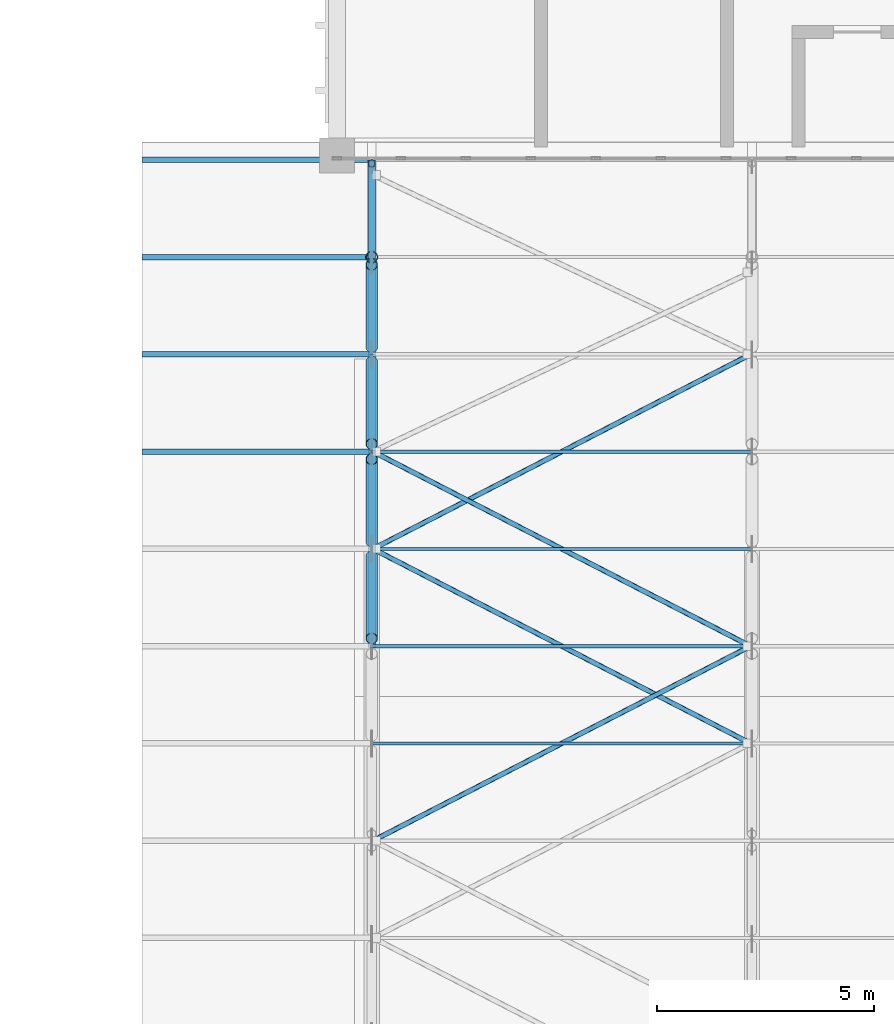
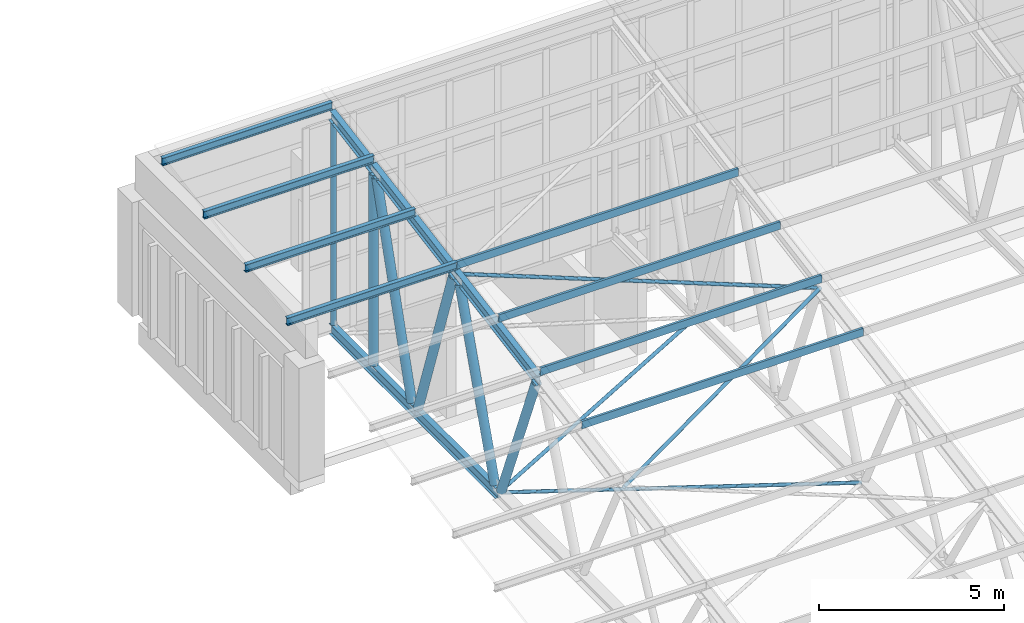
# One storey, part 50 of 185: 23 members.
"""IFC4 building model written with IfcOpenShell, lengths in metres."""

from ifc_helpers import new_model, si_unit, direction, frame, origin, origin_2d, place, context, subcontext, project, spatial, polyline, hollow_circle, i_section, outline, extrude, material, material_profile, profile_set, type_object, element, save


model = new_model("IFC4")

# Units and contexts
model_context = context("Model", 3, precision=1e-05, world=origin(), true_north=direction((0.0, 1.0)))
body_context = subcontext(model_context, "Body", "Model", "MODEL_VIEW")
ifc_project = project(units=[si_unit("LENGTHUNIT", "METRE"), si_unit("AREAUNIT", "SQUARE_METRE"), si_unit("VOLUMEUNIT", "CUBIC_METRE"), si_unit("PLANEANGLEUNIT", "RADIAN"), si_unit("MASSUNIT", "GRAM", prefix="KILO")], contexts=[model_context])

# Site, building, storey
site_placement = place(None, origin())
site = spatial("IfcSite", under=ifc_project, at=site_placement, CompositionType="ELEMENT")
building_placement = place(site_placement, origin())
building = spatial("IfcBuilding", under=site, at=building_placement, Name="Opaline Strait Convention Centre", CompositionType="ELEMENT")
storey_placement = place(building_placement, frame((0.0, 0.0, 6.0)))
storey = spatial("IfcBuildingStorey", under=building, at=storey_placement, Name="L01", CompositionType="ELEMENT", Elevation=6.0)

# Members
ifc_material = material(Name="Steel Q355B", Category="steel")
ifc_material_profile_1 = material_profile(ifc_material, i_section(OverallWidth=0.125, OverallDepth=0.25, WebThickness=0.006103515625, FlangeThickness=0.009033203125, FilletRadius=0.008056640625, at=origin_2d()), Name="HN 250x125x6x9")
ifc_profile_set_1 = profile_set([ifc_material_profile_1], Name="Steel Q355B")
member_type_1 = type_object("IfcMemberType", Name="Eaves purlin HN 250x125x6x9", PredefinedType="RAFTER", material=ifc_profile_set_1)
for number, where, z_axis, x_axis, name in (
    (1, (283.5, 56.168701171875, 10.65380859375), (1.0, 0.0, 0.0), (0.0, 1.0, 0.0), "BU2 purlin line 15 bay 1"),
    (2, (283.5, 58.41259765625, 11.049560546875), (1.0, 0.0, 0.0), (0.0, 1.0, 0.0), "BU2 purlin line 16 bay 1"),
    (3, (283.5, 60.65625, 11.445068359375), (1.0, 0.0, 0.0), (0.0, 1.0, 0.0), "BU2 purlin line 17 bay 1"),
    (4, (283.5, 62.89990234375, 11.8408203125), (1.0, 0.0, 0.0), (0.0, 1.0, 0.0), "BU2 purlin line 18 bay 1"),
):
    element("IfcMember", number, at=place(storey_placement, frame(where, z_axis=z_axis, x_axis=x_axis)), inside=storey, type_object=member_type_1, Name=name, PredefinedType="RAFTER", context=body_context, shape_type="SweptSolid", body=[
        extrude(i_section(OverallWidth=0.125, OverallDepth=0.25, WebThickness=0.006103515625, FlangeThickness=0.009033203125, FilletRadius=0.008056640625, at=origin_2d()), origin(), (0.0, 0.0, 1.0), 5.300048828125),
    ])
ifc_material_profile_2 = material_profile(ifc_material, hollow_circle(Radius=0.056884765625, WallThickness=0.006103515625, at=origin_2d()), Name="CHS 114x6")
ifc_profile_set_2 = profile_set([ifc_material_profile_2], Name="Steel Q355B")
member_type_2 = type_object("IfcMemberType", Name="Roof plan brace CHS 114x6", PredefinedType="BRACE", material=ifc_profile_set_2)
member_1_placement = place(storey_placement, frame((288.83203125, 47.19384765625, 8.7607421875), z_axis=(0.886021692964, 0.456599526627, 0.080513550914), x_axis=(-0.458086698578, 0.888907518579, 0.0)))
element("IfcMember", 5, at=member_1_placement, inside=storey, type_object=member_type_2, Name="BR1 top plane brace end bay 1 panel 5", PredefinedType="BRACE", context=body_context, shape_type="SweptSolid", body=[
    extrude(hollow_circle(Radius=0.056884765625, WallThickness=0.006103515625, at=origin_2d()), origin(), (0.0, 0.0, 1.0), 9.82763671875),
])
member_2_placement = place(storey_placement, frame((297.53955078125, 51.68115234375, 9.552001953125), z_axis=(-0.886070368026, 0.456508659211, 0.080493148605), x_axis=(-0.457994778058, -0.888954882585, 0.0)))
element("IfcMember", 6, at=member_2_placement, inside=storey, type_object=member_type_2, Name="BR1 top plane brace end bay 1 panel 6", PredefinedType="BRACE", context=body_context, shape_type="SweptSolid", body=[
    extrude(hollow_circle(Radius=0.056884765625, WallThickness=0.006103515625, at=origin_2d()), origin(), (0.0, 0.0, 1.0), 9.830078125),
])
member_3_placement = place(storey_placement, frame((297.53955078125, 49.4375, 4.5), z_axis=(-0.888954882585, 0.457994778058, 0.0), x_axis=(-0.457994778058, -0.888954882585, 0.0)))
element("IfcMember", 7, at=member_3_placement, inside=storey, type_object=member_type_2, Name="BR1 bottom plane brace end bay 1 panel 6", PredefinedType="BRACE", context=body_context, shape_type="SweptSolid", body=[
    extrude(hollow_circle(Radius=0.056884765625, WallThickness=0.006103515625, at=origin_2d()), origin(), (0.0, 0.0, 1.0), 9.79833984375),
])
member_4_placement = place(storey_placement, frame((288.829345703125, 53.925048828125, 4.5), z_axis=(0.889007130404, 0.457893352312, 0.0), x_axis=(-0.457893352312, 0.889007130404, 0.0)))
element("IfcMember", 8, at=member_4_placement, inside=storey, type_object=member_type_2, Name="BR1 bottom plane brace end bay 1 panel 7", PredefinedType="BRACE", context=body_context, shape_type="SweptSolid", body=[
    extrude(hollow_circle(Radius=0.056884765625, WallThickness=0.006103515625, at=origin_2d()), origin(), (0.0, 0.0, 1.0), 9.800537109375),
])
ifc_material_profile_3 = material_profile(ifc_material, outline(polyline([(-0.03759765625, -0.125), (0.03759765625, -0.125), (0.03759765625, -0.10498046875), (0.034423828125, -0.10498046875), (0.034423828125, -0.1220703125), (-0.034423828125, -0.1220703125), (-0.034423828125, 0.1220703125), (0.034423828125, 0.1220703125), (0.034423828125, 0.10498046875), (0.03759765625, 0.10498046875), (0.03759765625, 0.125), (-0.03759765625, 0.125), (-0.03759765625, -0.125)])), Name="C 250x75x20x3")
ifc_profile_set_3 = profile_set([ifc_material_profile_3], Name="Steel Q355B")
member_type_3 = type_object("IfcMemberType", Name="Roof purlin C 250x75x20x3", PredefinedType="RAFTER", material=ifc_profile_set_3)
for number, where, z_axis, x_axis, name in (
    (9, (288.800048828125, 49.4375, 9.467041015625), (1.0, 0.0, 0.0), (0.0, 1.0, 0.0), "BU1 purlin line 12 bay 2"),
    (10, (288.800048828125, 51.68115234375, 9.862548828125), (1.0, 0.0, 0.0), (0.0, 1.0, 0.0), "BU1 purlin line 13 bay 2"),
    (11, (288.800048828125, 53.925048828125, 10.25830078125), (1.0, 0.0, 0.0), (0.0, 1.0, 0.0), "BU1 purlin line 14 bay 2"),
    (12, (288.800048828125, 56.168701171875, 10.65380859375), (1.0, 0.0, 0.0), (0.0, 1.0, 0.0), "BU1 purlin line 15 bay 2"),
):
    element("IfcMember", number, at=place(storey_placement, frame(where, z_axis=z_axis, x_axis=x_axis)), inside=storey, type_object=member_type_3, Name=name, PredefinedType="RAFTER", context=body_context, shape_type="SweptSolid", body=[
        extrude(outline(polyline([(-0.03759765625, -0.125), (0.03759765625, -0.125), (0.03759765625, -0.10498046875), (0.034423828125, -0.10498046875), (0.034423828125, -0.1220703125), (-0.034423828125, -0.1220703125), (-0.034423828125, 0.1220703125), (0.034423828125, 0.1220703125), (0.034423828125, 0.10498046875), (0.03759765625, 0.10498046875), (0.03759765625, 0.125), (-0.03759765625, 0.125), (-0.03759765625, -0.125)])), origin(), (0.0, 0.0, 1.0), 8.771240234375),
    ])
ifc_material_profile_4 = material_profile(ifc_material, i_section(OverallWidth=0.175048828125, OverallDepth=0.35009765625, WebThickness=0.007080078125, FlangeThickness=0.010986328125, FilletRadius=0.012939453125, at=origin_2d()), Name="HN 350x175x7x11")
ifc_profile_set_4 = profile_set([ifc_material_profile_4], Name="Steel Q355B")
member_type_4 = type_object("IfcMemberType", Name="Truss bottom chord HN 350x175x7x11", PredefinedType="CHORD", material=ifc_profile_set_4)
member_5_placement = place(storey_placement, frame((288.800048828125, 53.925048828125, 4.5), z_axis=(0.0, 1.0, 0.0), x_axis=(-1.0, 0.0, 0.0)))
element("IfcMember", 13, at=member_5_placement, inside=storey, type_object=member_type_4, Name="BT2 bottom chord line 1 panel 7", PredefinedType="CHORD", context=body_context, shape_type="SweptSolid", body=[
    extrude(i_section(OverallWidth=0.175048828125, OverallDepth=0.35009765625, WebThickness=0.007080078125, FlangeThickness=0.010986328125, FilletRadius=0.012939453125, at=origin_2d()), origin(), (0.0, 0.0, 1.0), 4.487548828125),
])
member_6_placement = place(storey_placement, frame((288.800048828125, 58.41259765625, 4.5), z_axis=(0.0, 1.0, 0.0), x_axis=(-1.0, 0.0, 0.0)))
element("IfcMember", 14, at=member_6_placement, inside=storey, type_object=member_type_4, Name="BT2 bottom chord line 1 panel 8", PredefinedType="CHORD", context=body_context, shape_type="SweptSolid", body=[
    extrude(i_section(OverallWidth=0.175048828125, OverallDepth=0.35009765625, WebThickness=0.007080078125, FlangeThickness=0.010986328125, FilletRadius=0.012939453125, at=origin_2d()), origin(), (0.0, 0.0, 1.0), 4.4873046875),
])
ifc_material_profile_5 = material_profile(ifc_material, hollow_circle(Radius=0.083984375, WallThickness=0.008056640625, at=origin_2d()), Name="CHS 168x8")
ifc_profile_set_5 = profile_set([ifc_material_profile_5], Name="Steel Q355B")
member_type_5 = type_object("IfcMemberType", Name="Truss end post CHS 168x8", PredefinedType="STRUT", material=ifc_profile_set_5)
member_7_placement = place(storey_placement, frame((288.800048828125, 62.81591796875, 4.675048828125), z_axis=(0.0, 0.0, 1.0), x_axis=(1.0, 0.0, 0.0)))
element("IfcMember", 15, at=member_7_placement, inside=storey, type_object=member_type_5, Name="BW5 end post line 1", PredefinedType="STRUT", context=body_context, shape_type="SweptSolid", body=[
    extrude(hollow_circle(Radius=0.083984375, WallThickness=0.008056640625, at=origin_2d()), origin(), (0.0, 0.0, 1.0), 6.66259765625),
])
ifc_material_profile_6 = material_profile(ifc_material, i_section(OverallWidth=0.175048828125, OverallDepth=0.35009765625, WebThickness=0.007080078125, FlangeThickness=0.010986328125, FilletRadius=0.012939453125, at=origin_2d()), Name="HN 350x175x7x11")
ifc_profile_set_6 = profile_set([ifc_material_profile_6], Name="Steel Q355B")
member_type_6 = type_object("IfcMemberType", Name="Truss top chord HN 350x175x7x11", PredefinedType="CHORD", material=ifc_profile_set_6)
for number, where, z_axis, x_axis, name in (
    (16, (288.800048828125, 51.68115234375, 9.552001953125), (0.0, 0.984808359847, 0.173644736101), (-1.0, 0.0, 0.0), "BT1 top chord line 1 panel 8"),
    (17, (288.800048828125, 56.168701171875, 10.34326171875), (0.0, 0.984808359847, 0.173644736101), (-1.0, 0.0, 0.0), "BT1 top chord line 1 panel 9"),
):
    element("IfcMember", number, at=place(storey_placement, frame(where, z_axis=z_axis, x_axis=x_axis)), inside=storey, type_object=member_type_6, Name=name, PredefinedType="CHORD", context=body_context, shape_type="SweptSolid", body=[
        extrude(i_section(OverallWidth=0.175048828125, OverallDepth=0.35009765625, WebThickness=0.007080078125, FlangeThickness=0.010986328125, FilletRadius=0.012939453125, at=origin_2d()), origin(), (0.0, 0.0, 1.0), 4.556884765625),
    ])
member_8_placement = place(storey_placement, frame((288.800048828125, 60.65625, 11.134521484375), z_axis=(0.0, 0.984815906009, 0.173601933377), x_axis=(-1.0, 0.0, 0.0)))
element("IfcMember", 18, at=member_8_placement, inside=storey, type_object=member_type_6, Name="BT1 top chord line 1 panel 10", PredefinedType="CHORD", context=body_context, shape_type="SweptSolid", body=[
    extrude(i_section(OverallWidth=0.175048828125, OverallDepth=0.35009765625, WebThickness=0.007080078125, FlangeThickness=0.010986328125, FilletRadius=0.012939453125, at=origin_2d()), origin(), (0.0, 0.0, 1.0), 2.2783203125),
])
ifc_material_profile_7 = material_profile(ifc_material, hollow_circle(Radius=0.136474609375, WallThickness=0.011962890625, at=origin_2d()), Name="CHS 273x12")
ifc_profile_set_7 = profile_set([ifc_material_profile_7], Name="Steel Q355B")
member_type_7 = type_object("IfcMemberType", Name="Truss web CHS 273x12", PredefinedType="BRACE", material=ifc_profile_set_7)
member_9_placement = place(storey_placement, frame((288.800048828125, 53.748046875, 4.678955078125), z_axis=(0.0, -0.371547903904, 0.928413784422), x_axis=(1.0, 0.0, 0.0)))
element("IfcMember", 19, at=member_9_placement, inside=storey, type_object=member_type_7, Name="BW4 web line 1 member 12", PredefinedType="BRACE", context=body_context, shape_type="SweptSolid", body=[
    extrude(hollow_circle(Radius=0.136474609375, WallThickness=0.011962890625, at=origin_2d()), origin(), (0.0, 0.0, 1.0), 5.08642578125),
])
member_10_placement = place(storey_placement, frame((288.800048828125, 54.099365234375, 4.678955078125), z_axis=(0.0, 0.328320466783, 0.944566393162), x_axis=(-1.0, 0.0, 0.0)))
element("IfcMember", 20, at=member_10_placement, inside=storey, type_object=member_type_7, Name="BW4 web line 1 member 13", PredefinedType="BRACE", context=body_context, shape_type="SweptSolid", body=[
    extrude(hollow_circle(Radius=0.136474609375, WallThickness=0.011962890625, at=origin_2d()), origin(), (0.0, 0.0, 1.0), 5.77197265625),
])
member_11_placement = place(storey_placement, frame((288.800048828125, 58.23828125, 4.678955078125), z_axis=(0.0, -0.325083279509, 0.945685392392), x_axis=(1.0, 0.0, 0.0)))
element("IfcMember", 21, at=member_11_placement, inside=storey, type_object=member_type_7, Name="BW4 web line 1 member 14", PredefinedType="BRACE", context=body_context, shape_type="SweptSolid", body=[
    extrude(hollow_circle(Radius=0.136474609375, WallThickness=0.011962890625, at=origin_2d()), origin(), (0.0, 0.0, 1.0), 5.830078125),
])
member_12_placement = place(storey_placement, frame((288.800048828125, 58.585205078125, 4.678955078125), z_axis=(0.0, 0.290918943534, 0.956747703574), x_axis=(-1.0, 0.0, 0.0)))
element("IfcMember", 22, at=member_12_placement, inside=storey, type_object=member_type_7, Name="BW4 web line 1 member 15", PredefinedType="BRACE", context=body_context, shape_type="SweptSolid", body=[
    extrude(hollow_circle(Radius=0.136474609375, WallThickness=0.011962890625, at=origin_2d()), origin(), (0.0, 0.0, 1.0), 6.525634765625),
])
member_13_placement = place(storey_placement, frame((288.800048828125, 60.65625, 4.675048828125), z_axis=(0.0, 0.0, 1.0), x_axis=(1.0, 0.0, 0.0)))
element("IfcMember", 23, at=member_13_placement, inside=storey, type_object=member_type_7, Name="BW4 frame post line 1", PredefinedType="BRACE", context=body_context, shape_type="SweptSolid", body=[
    extrude(hollow_circle(Radius=0.136474609375, WallThickness=0.011962890625, at=origin_2d()), origin(), (0.0, 0.0, 1.0), 6.28173828125),
])

save(model, "model.ifc")
